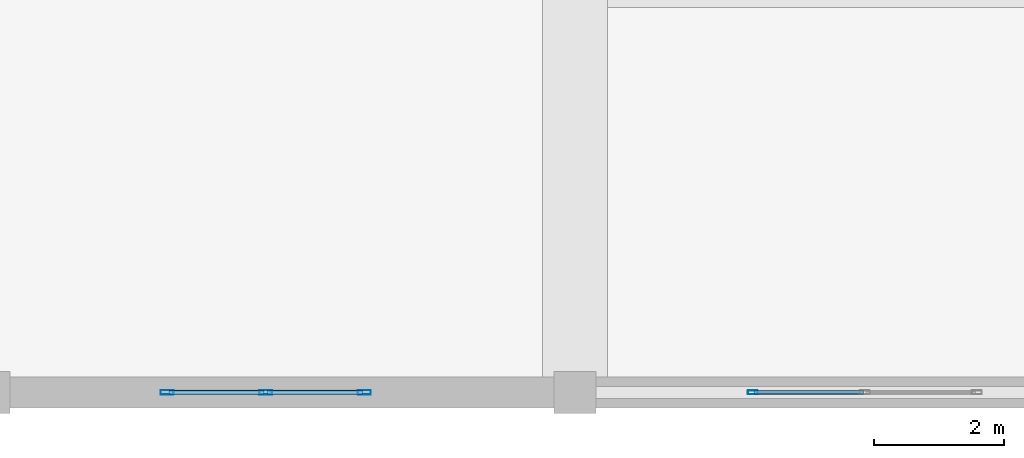
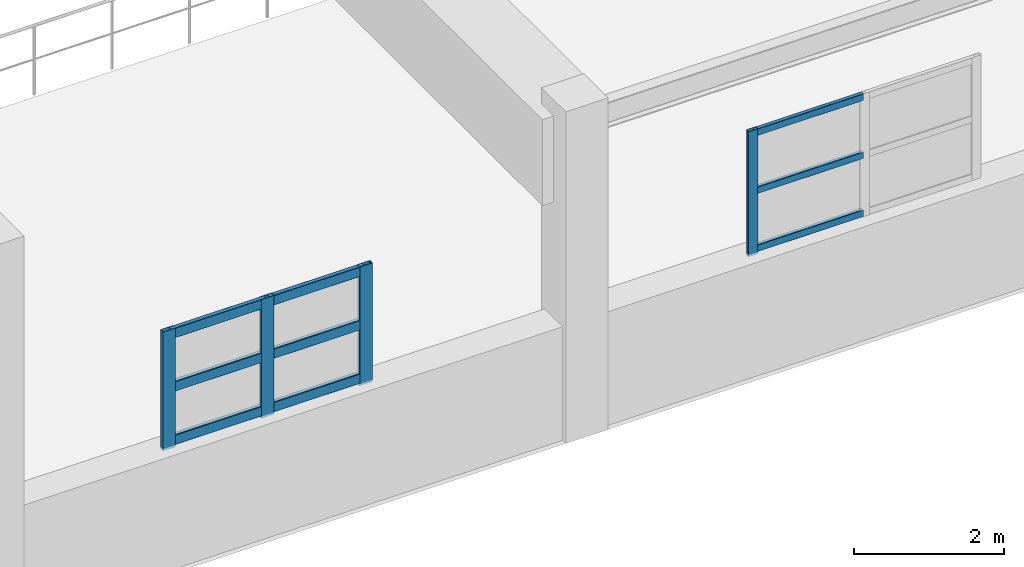
# One storey, part 15 of 197: 13 members, 2 elements without a shape of their own.
"""IFC4 building model written with IfcOpenShell, lengths in metres."""

from ifc_helpers import new_model, si_unit, derived_unit, direction, frame, origin, origin_2d, place, context, subcontext, project, spatial, hollow_rectangle, extrude, material, layer, layer_set, material_profile, profile_set, type_object, element, aggregate, save


model = new_model("IFC4")

# Units and contexts
model_context = context("Model", 3, precision=1e-05, world=origin(), true_north=direction((0.0, 1.0)))
body_context = subcontext(model_context, "Body", "Model", "MODEL_VIEW")
ifc_project = project(units=[si_unit("LENGTHUNIT", "METRE"), si_unit("AREAUNIT", "SQUARE_METRE"), si_unit("VOLUMEUNIT", "CUBIC_METRE"), si_unit("PLANEANGLEUNIT", "RADIAN"), si_unit("MASSUNIT", "GRAM", prefix="KILO"), derived_unit("THERMALTRANSMITTANCEUNIT", [(si_unit("POWERUNIT", "WATT"), 1), (si_unit("LENGTHUNIT", "METRE"), -2), (si_unit("THERMODYNAMICTEMPERATUREUNIT", "KELVIN"), -1)])], contexts=[model_context])

# Site, building, storey
site_placement = place(None, origin())
site = spatial("IfcSite", under=ifc_project, at=site_placement, CompositionType="ELEMENT")
building_placement = place(site_placement, origin())
building = spatial("IfcBuilding", under=site, at=building_placement, Name="Almenara Railside Exhibition Hall", CompositionType="ELEMENT")
storey_placement = place(building_placement, frame((0.0, 0.0, 5.39990234375)))
storey = spatial("IfcBuildingStorey", under=building, at=storey_placement, Name="L01", CompositionType="ELEMENT", Elevation=5.39990234375)

# Curtain wall, member
ifc_material_1 = material(Name="Bronze-anodised aluminium and low-E double glazing", Category="aluminium")
ifc_layer_1 = layer(ifc_material_1, 0.179931640625, Name="Bronze-anodised aluminium and low-E double glazing")
ifc_layer_set_1 = layer_set([ifc_layer_1], Name="Bronze-anodised aluminium and low-E double glazing")
curtain_wall_type_1 = type_object("IfcCurtainWallType", Name="Plenary Clerestory Curtain Wall 3500x2000", PredefinedType="NOTDEFINED", material=ifc_layer_set_1)
curtain_wall_1_placement = place(storey_placement, origin())
curtain_wall_1 = element("IfcCurtainWall", 1, at=curtain_wall_1_placement, inside=storey, type_object=curtain_wall_type_1, Name="Curtain wall CW-CL5-101", PredefinedType="NOTDEFINED")
ifc_material_2 = material(Name="Bronze-anodised aluminium", Category="aluminium")
ifc_material_profile_1 = material_profile(ifc_material_2, hollow_rectangle(XDim=0.06005859375, YDim=0.14990234375, WallThickness=0.00341796875, InnerFilletRadius=0.00341796875, OuterFilletRadius=0.007080078125, at=origin_2d()), Name="ALU-MUL 60x150x3.5")
ifc_profile_set_1 = profile_set([ifc_material_profile_1], Name="Bronze-anodised aluminium")
member_type_1 = type_object("IfcMemberType", Name="Curtain Wall Mullion 60x150x3.5", PredefinedType="MULLION", material=ifc_profile_set_1)
member_1_placement = place(storey_placement, frame((41.72998046875, 0.0, 1.815185546875), z_axis=(0.0, 0.0, 1.0), x_axis=(0.0, 1.0, 0.0)))
member_1 = element("IfcMember", 2, at=member_1_placement, type_object=member_type_1, Name="CW-CL5-101 mullion 1", PredefinedType="MULLION", context=body_context, shape_type="SweptSolid", body=[
    extrude(hollow_rectangle(XDim=0.06005859375, YDim=0.14990234375, WallThickness=0.00341796875, InnerFilletRadius=0.00341796875, OuterFilletRadius=0.007080078125, at=origin_2d()), origin(), (0.0, 0.0, 1.0), 2.034912109375),
])

# Curtain wall, members
ifc_layer_2 = layer(ifc_material_1, 0.179931640625, Name="Bronze-anodised aluminium and low-E double glazing")
ifc_layer_set_2 = layer_set([ifc_layer_2], Name="Bronze-anodised aluminium and low-E double glazing")
curtain_wall_type_2 = type_object("IfcCurtainWallType", Name="Plenary Clerestory Curtain Wall 3100x1900", PredefinedType="NOTDEFINED", material=ifc_layer_set_2)
curtain_wall_2_placement = place(storey_placement, origin())
curtain_wall_2 = element("IfcCurtainWall", 3, at=curtain_wall_2_placement, inside=storey, type_object=curtain_wall_type_2, Name="Curtain wall CW-CL6-099", PredefinedType="NOTDEFINED")
ifc_material_profile_2 = material_profile(ifc_material_2, hollow_rectangle(XDim=0.070068359375, YDim=0.199951171875, WallThickness=0.00439453125, InnerFilletRadius=0.00439453125, OuterFilletRadius=0.009033203125, at=origin_2d()), Name="ALU-MUL 70x200x4.5")
ifc_profile_set_2 = profile_set([ifc_material_profile_2], Name="Bronze-anodised aluminium")
member_type_2 = type_object("IfcMemberType", Name="Curtain Wall Mullion 70x200x4.5", PredefinedType="MULLION", material=ifc_profile_set_2)
member_2_placement = place(storey_placement, frame((32.735107421875, 0.0, 1.815185546875), z_axis=(0.0, 0.0, 1.0), x_axis=(0.0, 1.0, 0.0)))
member_2 = element("IfcMember", 4, at=member_2_placement, type_object=member_type_2, Name="CW-CL6-099 mullion 1", PredefinedType="MULLION", context=body_context, shape_type="SweptSolid", body=[
    extrude(hollow_rectangle(XDim=0.070068359375, YDim=0.199951171875, WallThickness=0.00439453125, InnerFilletRadius=0.00439453125, OuterFilletRadius=0.009033203125, at=origin_2d()), origin(), (0.0, 0.0, 1.0), 1.934814453125),
])
member_3_placement = place(storey_placement, frame((34.25, 0.0, 1.815185546875), z_axis=(0.0, 0.0, 1.0), x_axis=(0.0, 1.0, 0.0)))
member_3 = element("IfcMember", 5, at=member_3_placement, type_object=member_type_2, Name="CW-CL6-099 mullion 2", PredefinedType="MULLION", context=body_context, shape_type="SweptSolid", body=[
    extrude(hollow_rectangle(XDim=0.070068359375, YDim=0.199951171875, WallThickness=0.00439453125, InnerFilletRadius=0.00439453125, OuterFilletRadius=0.009033203125, at=origin_2d()), origin(), (0.0, 0.0, 1.0), 1.934814453125),
])
member_4_placement = place(storey_placement, frame((35.764892578125, 0.0, 1.815185546875), z_axis=(0.0, 0.0, 1.0), x_axis=(0.0, 1.0, 0.0)))
member_4 = element("IfcMember", 6, at=member_4_placement, type_object=member_type_2, Name="CW-CL6-099 mullion 3", PredefinedType="MULLION", context=body_context, shape_type="SweptSolid", body=[
    extrude(hollow_rectangle(XDim=0.070068359375, YDim=0.199951171875, WallThickness=0.00439453125, InnerFilletRadius=0.00439453125, OuterFilletRadius=0.009033203125, at=origin_2d()), origin(), (0.0, 0.0, 1.0), 1.934814453125),
])

# Member
ifc_material_profile_3 = material_profile(ifc_material_2, hollow_rectangle(XDim=0.06005859375, YDim=0.110107421875, WallThickness=0.0029296875, InnerFilletRadius=0.0029296875, OuterFilletRadius=0.006103515625, at=origin_2d()), Name="ALU-TRN 60x110x3")
ifc_profile_set_3 = profile_set([ifc_material_profile_3], Name="Bronze-anodised aluminium")
member_type_3 = type_object("IfcMemberType", Name="Curtain Wall Transom 60x110x3", PredefinedType="USERDEFINED", material=ifc_profile_set_3)
member_5_placement = place(storey_placement, frame((41.751953125, 0.0, 1.905029296875), z_axis=(1.0, 0.0, 0.0), x_axis=(0.0, 1.0, 0.0)))
member_5 = element("IfcMember", 7, at=member_5_placement, type_object=member_type_3, Name="CW-CL5-101 transom 1.1", ObjectType="TRANSOM", PredefinedType="USERDEFINED", context=body_context, shape_type="SweptSolid", body=[
    extrude(hollow_rectangle(XDim=0.06005859375, YDim=0.110107421875, WallThickness=0.0029296875, InnerFilletRadius=0.0029296875, OuterFilletRadius=0.006103515625, at=origin_2d()), origin(), (0.0, 0.0, 1.0), 1.676025390625),
])

member_6_placement = place(storey_placement, frame((41.751953125, 0.0, 2.85009765625), z_axis=(1.0, 0.0, 0.0), x_axis=(0.0, 1.0, 0.0)))
member_6 = element("IfcMember", 8, at=member_6_placement, type_object=member_type_3, Name="CW-CL5-101 transom 1.2", ObjectType="TRANSOM", PredefinedType="USERDEFINED", context=body_context, shape_type="SweptSolid", body=[
    extrude(hollow_rectangle(XDim=0.06005859375, YDim=0.110107421875, WallThickness=0.0029296875, InnerFilletRadius=0.0029296875, OuterFilletRadius=0.006103515625, at=origin_2d()), origin(), (0.0, 0.0, 1.0), 1.676025390625),
])

member_7_placement = place(storey_placement, frame((41.751953125, 0.0, 3.795166015625), z_axis=(1.0, 0.0, 0.0), x_axis=(0.0, 1.0, 0.0)))
member_7 = element("IfcMember", 9, at=member_7_placement, type_object=member_type_3, Name="CW-CL5-101 transom 1.3", ObjectType="TRANSOM", PredefinedType="USERDEFINED", context=body_context, shape_type="SweptSolid", body=[
    extrude(hollow_rectangle(XDim=0.06005859375, YDim=0.110107421875, WallThickness=0.0029296875, InnerFilletRadius=0.0029296875, OuterFilletRadius=0.006103515625, at=origin_2d()), origin(), (0.0, 0.0, 1.0), 1.676025390625),
])

aggregate(curtain_wall_1, [member_1, member_5, member_6, member_7])

ifc_material_profile_4 = material_profile(ifc_material_2, hollow_rectangle(XDim=0.070068359375, YDim=0.159912109375, WallThickness=0.00390625, InnerFilletRadius=0.00390625, OuterFilletRadius=0.008056640625, at=origin_2d()), Name="ALU-TRN 70x160x4")
ifc_profile_set_4 = profile_set([ifc_material_profile_4], Name="Bronze-anodised aluminium")
member_type_4 = type_object("IfcMemberType", Name="Curtain Wall Transom 70x160x4", PredefinedType="USERDEFINED", material=ifc_profile_set_4)
member_8_placement = place(storey_placement, frame((32.761962890625, 0.0, 1.93017578125), z_axis=(1.0, 0.0, 0.0), x_axis=(0.0, 1.0, 0.0)))
member_8 = element("IfcMember", 10, at=member_8_placement, type_object=member_type_4, Name="CW-CL6-099 transom 1.1", ObjectType="TRANSOM", PredefinedType="USERDEFINED", context=body_context, shape_type="SweptSolid", body=[
    extrude(hollow_rectangle(XDim=0.070068359375, YDim=0.159912109375, WallThickness=0.00390625, InnerFilletRadius=0.00390625, OuterFilletRadius=0.008056640625, at=origin_2d()), origin(), (0.0, 0.0, 1.0), 1.4609375),
])

member_9_placement = place(storey_placement, frame((32.761962890625, 0.0, 2.800048828125), z_axis=(1.0, 0.0, 0.0), x_axis=(0.0, 1.0, 0.0)))
member_9 = element("IfcMember", 11, at=member_9_placement, type_object=member_type_4, Name="CW-CL6-099 transom 1.2", ObjectType="TRANSOM", PredefinedType="USERDEFINED", context=body_context, shape_type="SweptSolid", body=[
    extrude(hollow_rectangle(XDim=0.070068359375, YDim=0.159912109375, WallThickness=0.00390625, InnerFilletRadius=0.00390625, OuterFilletRadius=0.008056640625, at=origin_2d()), origin(), (0.0, 0.0, 1.0), 1.4609375),
])

member_10_placement = place(storey_placement, frame((32.761962890625, 0.0, 3.670166015625), z_axis=(1.0, 0.0, 0.0), x_axis=(0.0, 1.0, 0.0)))
member_10 = element("IfcMember", 12, at=member_10_placement, type_object=member_type_4, Name="CW-CL6-099 transom 1.3", ObjectType="TRANSOM", PredefinedType="USERDEFINED", context=body_context, shape_type="SweptSolid", body=[
    extrude(hollow_rectangle(XDim=0.070068359375, YDim=0.159912109375, WallThickness=0.00390625, InnerFilletRadius=0.00390625, OuterFilletRadius=0.008056640625, at=origin_2d()), origin(), (0.0, 0.0, 1.0), 1.4609375),
])

member_11_placement = place(storey_placement, frame((34.277099609375, 0.0, 1.93017578125), z_axis=(1.0, 0.0, 0.0), x_axis=(0.0, 1.0, 0.0)))
member_11 = element("IfcMember", 13, at=member_11_placement, type_object=member_type_4, Name="CW-CL6-099 transom 2.1", ObjectType="TRANSOM", PredefinedType="USERDEFINED", context=body_context, shape_type="SweptSolid", body=[
    extrude(hollow_rectangle(XDim=0.070068359375, YDim=0.159912109375, WallThickness=0.00390625, InnerFilletRadius=0.00390625, OuterFilletRadius=0.008056640625, at=origin_2d()), origin(), (0.0, 0.0, 1.0), 1.4609375),
])

member_12_placement = place(storey_placement, frame((34.277099609375, 0.0, 2.800048828125), z_axis=(1.0, 0.0, 0.0), x_axis=(0.0, 1.0, 0.0)))
member_12 = element("IfcMember", 14, at=member_12_placement, type_object=member_type_4, Name="CW-CL6-099 transom 2.2", ObjectType="TRANSOM", PredefinedType="USERDEFINED", context=body_context, shape_type="SweptSolid", body=[
    extrude(hollow_rectangle(XDim=0.070068359375, YDim=0.159912109375, WallThickness=0.00390625, InnerFilletRadius=0.00390625, OuterFilletRadius=0.008056640625, at=origin_2d()), origin(), (0.0, 0.0, 1.0), 1.4609375),
])

member_13_placement = place(storey_placement, frame((34.277099609375, 0.0, 3.670166015625), z_axis=(1.0, 0.0, 0.0), x_axis=(0.0, 1.0, 0.0)))
member_13 = element("IfcMember", 15, at=member_13_placement, type_object=member_type_4, Name="CW-CL6-099 transom 2.3", ObjectType="TRANSOM", PredefinedType="USERDEFINED", context=body_context, shape_type="SweptSolid", body=[
    extrude(hollow_rectangle(XDim=0.070068359375, YDim=0.159912109375, WallThickness=0.00390625, InnerFilletRadius=0.00390625, OuterFilletRadius=0.008056640625, at=origin_2d()), origin(), (0.0, 0.0, 1.0), 1.4609375),
])

aggregate(curtain_wall_2, [member_2, member_3, member_4, member_8, member_9, member_10, member_11, member_12, member_13])

save(model, "model.ifc")
